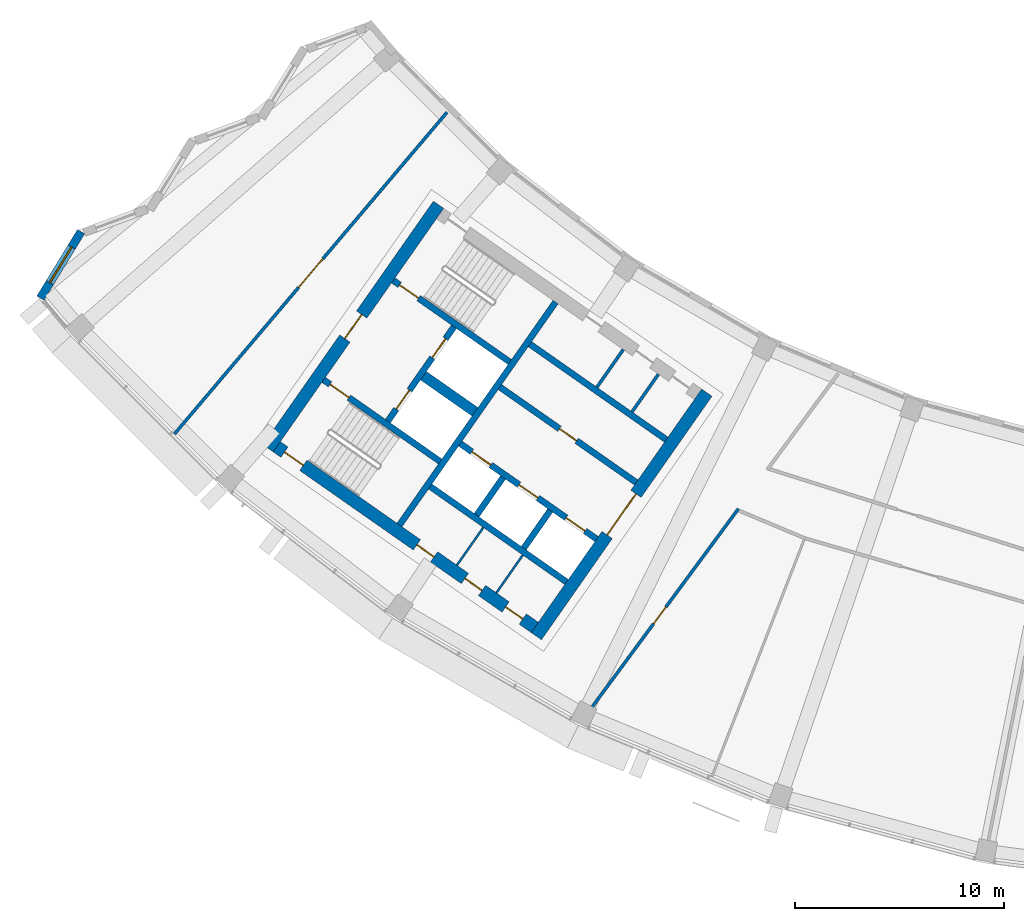
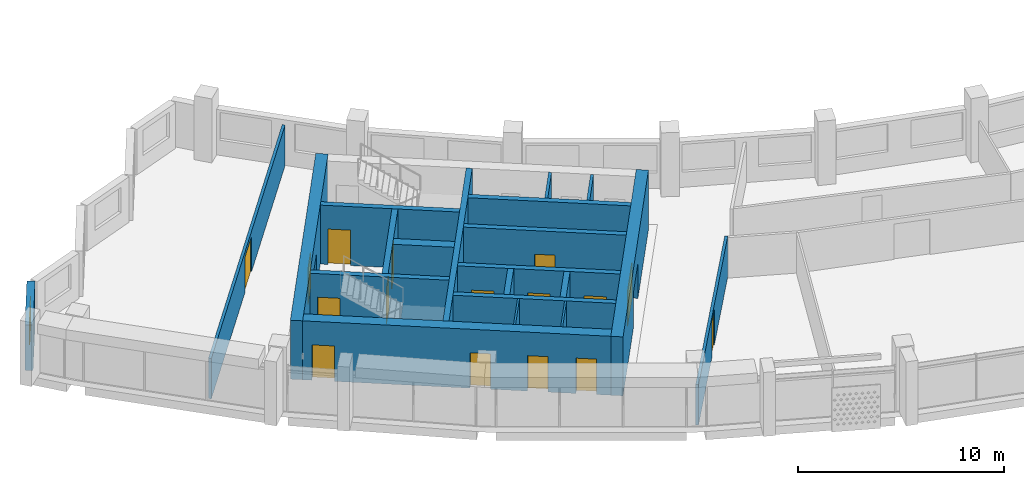
# One storey, part 3 of 28: 21 walls, 16 doors, 1 window, 17 openings.
"""IFC4 building model written with IfcOpenShell, lengths in metres."""

from ifc_helpers import new_model, si_unit, direction, frame, frame_2d, origin, place, context, subcontext, project, spatial, rectangle, extrude, material, layer, layer_set, type_object, element, fill, save


model = new_model("IFC4")

# Units and contexts
model_context = context("Model", 3, precision=1e-05, world=origin(), true_north=direction((0.0, 1.0)))
body_context = subcontext(model_context, "Body", "Model", "MODEL_VIEW")
ifc_project = project(units=[si_unit("LENGTHUNIT", "METRE"), si_unit("AREAUNIT", "SQUARE_METRE"), si_unit("VOLUMEUNIT", "CUBIC_METRE"), si_unit("PLANEANGLEUNIT", "RADIAN"), si_unit("MASSUNIT", "GRAM", prefix="KILO")], contexts=[model_context])

# Site, building, storey
site_placement = place(None, origin())
site = spatial("IfcSite", under=ifc_project, at=site_placement, CompositionType="ELEMENT")
building_placement = place(site_placement, origin())
building = spatial("IfcBuilding", under=site, at=building_placement, Name="Qamariyya Broadcast Tower", CompositionType="ELEMENT")
storey_placement = place(building_placement, frame((0.0, 0.0, 277.10009765625)))
storey = spatial("IfcBuildingStorey", under=building, at=storey_placement, Name="L67", CompositionType="ELEMENT", Elevation=277.10009765625)

# Wall, opening, door
ifc_material_1 = material(Name="Concrete C60/75", Category="concrete")
ifc_layer_1 = layer(ifc_material_1, 0.60009765625)
ifc_layer_set_1 = layer_set([ifc_layer_1], Name="Core wall 600 mm Concrete C60/75")
wall_type_1 = type_object("IfcWallType", Name="Core wall 600 mm Concrete C60/75", PredefinedType="SHEAR", material=ifc_layer_set_1)
wall_1_placement = place(storey_placement, frame((-36.66748046875, -66.005126953125, 0.0), z_axis=(0.0, 0.0, 1.0), x_axis=(0.573568499524, 0.819157601658, 0.0)))
wall_1 = element("IfcWall", 1, at=wall_1_placement, inside=storey, type_object=wall_type_1, Name="k-W-L67-WA", PredefinedType="SHEAR", context=body_context, shape_type="SweptSolid", body=[
    extrude(rectangle(XDim=14.19970703125, YDim=0.60009765625, at=frame_2d((7.099853515625, 0.0))), origin(), (0.0, 0.0, 1.0), 3.5),
])
opening_1_placement = place(wall_1_placement, frame((5.89990234375, 0.0, 0.0)))
opening_1 = element("IfcOpeningElement", 2, at=opening_1_placement, cuts=wall_1, Name="Opening KD3-W1", PredefinedType="OPENING", context=body_context, shape_type="SweptSolid", body=[
    extrude(rectangle(XDim=2.39990234375, YDim=2.10009765625, at=frame_2d((1.199951171875, 1.050048828125))), frame((0.0, 0.31005859375, 0.0), z_axis=(0.0, -1.0, 0.0), x_axis=(1.0, 0.0, 0.0)), (0.0, 0.0, 1.0), 0.6201171875),
])
ifc_material_2 = material(Name="Steel fire-resisting door leaf", Category="steel")
door_type_1 = type_object("IfcDoorType", Name="Lift lobby door KD3", OperationType="DOUBLE_DOOR_SINGLE_SWING", PredefinedType="DOOR", material=ifc_material_2)
door_1_placement = place(opening_1_placement, origin())
door_1 = element("IfcDoor", 3, at=door_1_placement, inside=storey, type_object=door_type_1, Name="k-W-L67-WA-D1", OperationType="DOUBLE_DOOR_SINGLE_SWING", OverallHeight=2.10009765625, OverallWidth=2.39990234375, PredefinedType="DOOR", context=body_context, shape_type="SweptSolid", body=[
    extrude(rectangle(XDim=2.39990234375, YDim=2.10009765625, at=frame_2d((1.199951171875, 1.050048828125))), frame((0.0, 0.02490234375, 0.0), z_axis=(0.0, -1.0, 0.0), x_axis=(1.0, 0.0, 0.0)), (0.0, 0.0, 1.0), 0.050048828125),
])
fill(opening_1, door_1)

wall_2_placement = place(storey_placement, frame((-49.4833984375, -57.031494140625, 0.0), z_axis=(0.0, 0.0, 1.0), x_axis=(0.573560421458, 0.819163257805, 0.0)))
wall_2 = element("IfcWall", 4, at=wall_2_placement, inside=storey, type_object=wall_type_1, Name="k-W-L67-WH", PredefinedType="SHEAR", context=body_context, shape_type="SweptSolid", body=[
    extrude(rectangle(XDim=14.199951171875, YDim=0.60009765625, at=frame_2d((7.10009765625, 0.0))), origin(), (0.0, 0.0, 1.0), 3.5),
])
opening_2_placement = place(wall_2_placement, frame((6.39990234375, 0.0, 0.0)))
opening_2 = element("IfcOpeningElement", 5, at=opening_2_placement, cuts=wall_2, Name="Opening KD2-W1", PredefinedType="OPENING", context=body_context, shape_type="SweptSolid", body=[
    extrude(rectangle(XDim=1.39990234375, YDim=2.10009765625, at=frame_2d((0.699951171875, 1.050048828125))), frame((0.0, 0.31005859375, 0.0), z_axis=(0.0, -1.0, 0.0), x_axis=(1.0, 0.0, 0.0)), (0.0, 0.0, 1.0), 0.6201171875),
])
door_type_2 = type_object("IfcDoorType", Name="Fire-fighting lobby door KD2", OperationType="DOUBLE_DOOR_SINGLE_SWING", PredefinedType="DOOR", material=ifc_material_2)
door_2_placement = place(opening_2_placement, origin())
door_2 = element("IfcDoor", 6, at=door_2_placement, inside=storey, type_object=door_type_2, Name="k-W-L67-WH-D14", OperationType="DOUBLE_DOOR_SINGLE_SWING", OverallHeight=2.10009765625, OverallWidth=1.39990234375, PredefinedType="DOOR", context=body_context, shape_type="SweptSolid", body=[
    extrude(rectangle(XDim=1.39990234375, YDim=2.10009765625, at=frame_2d((0.699951171875, 1.050048828125))), frame((0.0, 0.02490234375, 0.0), z_axis=(0.0, -1.0, 0.0), x_axis=(1.0, 0.0, 0.0)), (0.0, 0.0, 1.0), 0.050048828125),
])
fill(opening_2, door_2)

# Wall, openings, doors
wall_3_placement = place(storey_placement, frame((-36.7412109375, -65.58740234375, 0.0), z_axis=(0.0, 0.0, 1.0), x_axis=(-0.819153391756, 0.573574511963, 0.0)))
wall_3 = element("IfcWall", 7, at=wall_3_placement, inside=storey, type_object=wall_type_1, Name="k-W-L67-WO", PredefinedType="SHEAR", context=body_context, shape_type="SweptSolid", body=[
    extrude(rectangle(XDim=15.04541015625, YDim=0.60009765625, at=frame_2d((7.522705078125, 0.0))), origin(), (0.0, 0.0, 1.0), 3.5),
])
opening_3_placement = place(wall_3_placement, frame((0.699951171875, 0.0, 0.0)))
opening_3 = element("IfcOpeningElement", 8, at=opening_3_placement, cuts=wall_3, Name="Opening KD6-W3", PredefinedType="OPENING", context=body_context, shape_type="SweptSolid", body=[
    extrude(rectangle(XDim=1.0, YDim=2.10009765625, at=frame_2d((0.5, 1.050048828125))), frame((0.0, 0.31005859375, 0.0), z_axis=(0.0, -1.0, 0.0), x_axis=(1.0, 0.0, 0.0)), (0.0, 0.0, 1.0), 0.6201171875),
])
opening_4_placement = place(wall_3_placement, frame((3.074951171875, 0.0, 0.0)))
opening_4 = element("IfcOpeningElement", 9, at=opening_4_placement, cuts=wall_3, Name="Opening KD4-W1", PredefinedType="OPENING", context=body_context, shape_type="SweptSolid", body=[
    extrude(rectangle(XDim=1.0, YDim=2.10009765625, at=frame_2d((0.5, 1.050048828125))), frame((0.0, 0.31005859375, 0.0), z_axis=(0.0, -1.0, 0.0), x_axis=(1.0, 0.0, 0.0)), (0.0, 0.0, 1.0), 0.6201171875),
])
opening_5_placement = place(wall_3_placement, frame((5.875, 0.0, 0.0)))
opening_5 = element("IfcOpeningElement", 10, at=opening_5_placement, cuts=wall_3, Name="Opening KD4-W2", PredefinedType="OPENING", context=body_context, shape_type="SweptSolid", body=[
    extrude(rectangle(XDim=1.0, YDim=2.10009765625, at=frame_2d((0.5, 1.050048828125))), frame((0.0, 0.31005859375, 0.0), z_axis=(0.0, -1.0, 0.0), x_axis=(1.0, 0.0, 0.0)), (0.0, 0.0, 1.0), 0.6201171875),
])
opening_6_placement = place(wall_3_placement, frame((13.495361328125, 0.0, 0.0)))
opening_6 = element("IfcOpeningElement", 11, at=opening_6_placement, cuts=wall_3, Name="Opening KD1-W3", PredefinedType="OPENING", context=body_context, shape_type="SweptSolid", body=[
    extrude(rectangle(XDim=1.10009765625, YDim=2.10009765625, at=frame_2d((0.550048828125, 1.050048828125))), frame((0.0, 0.31005859375, 0.0), z_axis=(0.0, -1.0, 0.0), x_axis=(1.0, 0.0, 0.0)), (0.0, 0.0, 1.0), 0.6201171875),
])
door_type_3 = type_object("IfcDoorType", Name="Core room door KD6", OperationType="SINGLE_SWING_LEFT", PredefinedType="DOOR", material=ifc_material_2)
door_3_placement = place(opening_3_placement, origin())
door_3 = element("IfcDoor", 12, at=door_3_placement, inside=storey, type_object=door_type_3, Name="k-W-L67-WO-D9", OperationType="SINGLE_SWING_RIGHT", OverallHeight=2.10009765625, OverallWidth=1.0, PredefinedType="DOOR", context=body_context, shape_type="SweptSolid", body=[
    extrude(rectangle(XDim=1.0, YDim=2.10009765625, at=frame_2d((0.5, 1.050048828125))), frame((0.0, 0.02490234375, 0.0), z_axis=(0.0, -1.0, 0.0), x_axis=(1.0, 0.0, 0.0)), (0.0, 0.0, 1.0), 0.050048828125),
])
fill(opening_3, door_3)
door_type_4 = type_object("IfcDoorType", Name="Riser and plant door KD4", OperationType="SINGLE_SWING_LEFT", PredefinedType="DOOR", material=ifc_material_2)
door_4_placement = place(opening_4_placement, origin())
door_4 = element("IfcDoor", 13, at=door_4_placement, inside=storey, type_object=door_type_4, Name="k-W-L67-WO-D10", OperationType="SINGLE_SWING_LEFT", OverallHeight=2.10009765625, OverallWidth=1.0, PredefinedType="DOOR", context=body_context, shape_type="SweptSolid", body=[
    extrude(rectangle(XDim=1.0, YDim=2.10009765625, at=frame_2d((0.5, 1.050048828125))), frame((0.0, 0.02490234375, 0.0), z_axis=(0.0, -1.0, 0.0), x_axis=(1.0, 0.0, 0.0)), (0.0, 0.0, 1.0), 0.050048828125),
])
fill(opening_4, door_4)
door_5_placement = place(opening_5_placement, origin())
door_5 = element("IfcDoor", 14, at=door_5_placement, inside=storey, type_object=door_type_4, Name="k-W-L67-WO-D11", OperationType="SINGLE_SWING_RIGHT", OverallHeight=2.10009765625, OverallWidth=1.0, PredefinedType="DOOR", context=body_context, shape_type="SweptSolid", body=[
    extrude(rectangle(XDim=1.0, YDim=2.10009765625, at=frame_2d((0.5, 1.050048828125))), frame((0.0, 0.02490234375, 0.0), z_axis=(0.0, -1.0, 0.0), x_axis=(1.0, 0.0, 0.0)), (0.0, 0.0, 1.0), 0.050048828125),
])
fill(opening_5, door_5)
door_type_5 = type_object("IfcDoorType", Name="Stair door KD1", OperationType="SINGLE_SWING_LEFT", PredefinedType="DOOR", material=ifc_material_2)
door_6_placement = place(opening_6_placement, origin())
door_6 = element("IfcDoor", 15, at=door_6_placement, inside=storey, type_object=door_type_5, Name="k-W-L67-WO-D17", OperationType="SINGLE_SWING_LEFT", OverallHeight=2.10009765625, OverallWidth=1.10009765625, PredefinedType="DOOR", context=body_context, shape_type="SweptSolid", body=[
    extrude(rectangle(XDim=1.10009765625, YDim=2.10009765625, at=frame_2d((0.550048828125, 1.050048828125))), frame((0.0, 0.02490234375, 0.0), z_axis=(0.0, -1.0, 0.0), x_axis=(1.0, 0.0, 0.0)), (0.0, 0.0, 1.0), 0.050048828125),
])
fill(opening_6, door_6)

# Wall, opening, door
ifc_material_3 = material(Name="Gypsum board partition")
ifc_layer_2 = layer(ifc_material_3, 0.14990234375)
ifc_layer_set_2 = layer_set([ifc_layer_2], Name="Corridor partition 150 EI 60")
wall_type_2 = type_object("IfcWallType", Name="Corridor partition 150 EI 60", PredefinedType="PARTITIONING", material=ifc_layer_set_2)
wall_4_placement = place(storey_placement, frame((-53.946044921875, -56.33837890625, 0.0), z_axis=(0.0, 0.0, 1.0), x_axis=(0.646426079671, 0.76297662056, 0.0)))
wall_4 = element("IfcWall", 16, at=wall_4_placement, inside=storey, type_object=wall_type_2, Name="Partition L67-001", PredefinedType="PARTITIONING", context=body_context, shape_type="SweptSolid", body=[
    extrude(rectangle(XDim=20.1259765625, YDim=0.14990234375, at=frame_2d((10.06298828125, 0.0))), origin(), (0.0, 0.0, 1.0), 2.39990234375),
])
opening_7_placement = place(wall_4_placement, frame((9.1630859375, 0.0, 0.0)))
opening_7 = element("IfcOpeningElement", 17, at=opening_7_placement, cuts=wall_4, Name="Opening L67-D13", PredefinedType="OPENING", context=body_context, shape_type="SweptSolid", body=[
    extrude(rectangle(XDim=1.800048828125, YDim=2.10009765625, at=frame_2d((0.89990234375, 1.050048828125))), frame((0.0, 0.0849609375, 0.0), z_axis=(0.0, -1.0, 0.0), x_axis=(1.0, 0.0, 0.0)), (0.0, 0.0, 1.0), 0.169921875),
])
ifc_material_4 = material(Name="Timber fire door leaf", Category="wood")
door_type_6 = type_object("IfcDoorType", Name="Double fire door 1800 x 2100 FD60", OperationType="NOTDEFINED", PredefinedType="DOOR", material=ifc_material_4)
door_7_placement = place(opening_7_placement, origin())
door_7 = element("IfcDoor", 18, at=door_7_placement, inside=storey, type_object=door_type_6, Name="Door L67-D13", OperationType="DOUBLE_DOOR_SINGLE_SWING", OverallHeight=2.10009765625, OverallWidth=1.800048828125, PredefinedType="DOOR", context=body_context, shape_type="SweptSolid", body=[
    extrude(rectangle(XDim=1.800048828125, YDim=2.10009765625, at=frame_2d((0.89990234375, 1.050048828125))), frame((0.0, 0.02490234375, 0.0), z_axis=(0.0, -1.0, 0.0), x_axis=(1.0, 0.0, 0.0)), (0.0, 0.0, 1.0), 0.050048828125),
])
fill(opening_7, door_7)

wall_5_placement = place(storey_placement, frame((-27.012939453125, -59.919189453125, 0.0), z_axis=(0.0, 0.0, 1.0), x_axis=(-0.593869528805, -0.804561360467, 0.0)))
wall_5 = element("IfcWall", 19, at=wall_5_placement, inside=storey, type_object=wall_type_2, Name="Partition L67-003", PredefinedType="PARTITIONING", context=body_context, shape_type="SweptSolid", body=[
    extrude(rectangle(XDim=12.665283203125, YDim=0.14990234375, at=frame_2d((6.33251953125, 0.0))), origin(), (0.0, 0.0, 1.0), 2.39990234375),
])
opening_8_placement = place(wall_5_placement, frame((5.832763671875, 0.0, 0.0)))
opening_8 = element("IfcOpeningElement", 20, at=opening_8_placement, cuts=wall_5, Name="Opening L67-D01", PredefinedType="OPENING", context=body_context, shape_type="SweptSolid", body=[
    extrude(rectangle(XDim=1.0, YDim=2.10009765625, at=frame_2d((0.5, 1.050048828125))), frame((0.0, 0.0849609375, 0.0), z_axis=(0.0, -1.0, 0.0), x_axis=(1.0, 0.0, 0.0)), (0.0, 0.0, 1.0), 0.169921875),
])
door_type_7 = type_object("IfcDoorType", Name="Fire door 1000 x 2100 FD60", OperationType="NOTDEFINED", PredefinedType="DOOR", material=ifc_material_4)
door_8_placement = place(opening_8_placement, origin())
door_8 = element("IfcDoor", 21, at=door_8_placement, inside=storey, type_object=door_type_7, Name="Door L67-D01", OperationType="SINGLE_SWING_RIGHT", OverallHeight=2.10009765625, OverallWidth=1.0, PredefinedType="DOOR", context=body_context, shape_type="SweptSolid", body=[
    extrude(rectangle(XDim=1.0, YDim=2.10009765625, at=frame_2d((0.5, 1.050048828125))), frame((0.0, 0.02490234375, 0.0), z_axis=(0.0, -1.0, 0.0), x_axis=(1.0, 0.0, 0.0)), (0.0, 0.0, 1.0), 0.050048828125),
])
fill(opening_8, door_8)

# Walls
ifc_layer_3 = layer(ifc_material_1, 0.5)
ifc_layer_set_3 = layer_set([ifc_layer_3], Name="Fire-fighting lobby divider wall 500 mm Concrete C60/75")
wall_type_3 = type_object("IfcWallType", Name="Fire-fighting lobby divider wall 500 mm Concrete C60/75", PredefinedType="SOLIDWALL", material=ifc_layer_set_3)
wall_6_placement = place(storey_placement, frame((-39.59912109375, -55.28515625, 0.0), z_axis=(0.0, 0.0, 1.0), x_axis=(-0.819136323161, 0.573598887793, 0.0)))
element("IfcWall", 22, at=wall_6_placement, inside=storey, type_object=wall_type_3, Name="k-W-L67-FD", PredefinedType="SOLIDWALL", context=body_context, shape_type="SweptSolid", body=[
    extrude(rectangle(XDim=2.999755859375, YDim=0.5, at=frame_2d((1.5, 0.0))), origin(), (0.0, 0.0, 1.0), 3.5),
])
ifc_material_5 = material(Name="Gypsum board partition on steel studs", Category="steel")
ifc_layer_4 = layer(ifc_material_5, 0.14990234375)
ifc_layer_set_4 = layer_set([ifc_layer_4], Name="Gypsum board partition 150 mm")
wall_type_4 = type_object("IfcWallType", Name="Gypsum board partition 150 mm", PredefinedType="PARTITIONING", material=ifc_layer_set_4)
wall_7_placement = place(storey_placement, frame((-32.0947265625, -55.290283203125, 0.0), z_axis=(0.0, 0.0, 1.0), x_axis=(0.573559170999, 0.819164133348, 0.0)))
element("IfcWall", 23, at=wall_7_placement, inside=storey, type_object=wall_type_4, Name="k-W-L67-NP210", PredefinedType="PARTITIONING", context=body_context, shape_type="SweptSolid", body=[
    extrude(rectangle(XDim=2.19970703125, YDim=0.14990234375, at=frame_2d((1.099853515625, 0.0))), origin(), (0.0, 0.0, 1.0), 3.5),
])
wall_8_placement = place(storey_placement, frame((-33.774169921875, -54.114501953125, 0.0), z_axis=(0.0, 0.0, 1.0), x_axis=(0.573581496053, 0.819148501424, 0.0)))
element("IfcWall", 24, at=wall_8_placement, inside=storey, type_object=wall_type_4, Name="k-W-L67-NP415", PredefinedType="PARTITIONING", context=body_context, shape_type="SweptSolid", body=[
    extrude(rectangle(XDim=2.2001953125, YDim=0.14990234375, at=frame_2d((1.10009765625, 0.0))), origin(), (0.0, 0.0, 1.0), 3.5),
])
ifc_layer_5 = layer(ifc_material_1, 0.300048828125)
ifc_layer_set_5 = layer_set([ifc_layer_5], Name="Lift shaft wall 300 mm Concrete C60/75")
wall_type_5 = type_object("IfcWallType", Name="Lift shaft wall 300 mm Concrete C60/75", PredefinedType="SOLIDWALL", material=ifc_layer_set_5)
wall_9_placement = place(storey_placement, frame((-43.204345703125, -60.69580078125, 0.0), z_axis=(0.0, 0.0, 1.0), x_axis=(0.573571992966, 0.819155155563, 0.0)))
element("IfcWall", 25, at=wall_9_placement, inside=storey, type_object=wall_type_5, Name="k-W-L67-WL", PredefinedType="SOLIDWALL", context=body_context, shape_type="SweptSolid", body=[
    extrude(rectangle(XDim=13.000244140625, YDim=0.300048828125, at=frame_2d((6.5, 0.0))), origin(), (0.0, 0.0, 1.0), 3.5),
])

# Wall, opening, door
wall_10_placement = place(storey_placement, frame((-31.89453125, -58.66552734375, 0.0), z_axis=(0.0, 0.0, 1.0), x_axis=(-0.819166993208, 0.573555086491, 0.0)))
wall_10 = element("IfcWall", 26, at=wall_10_placement, inside=storey, type_object=wall_type_5, Name="k-W-L67-NF0", PredefinedType="SOLIDWALL", context=body_context, shape_type="SweptSolid", body=[
    extrude(rectangle(XDim=7.9501953125, YDim=0.300048828125, at=frame_2d((3.97509765625, 0.0))), origin(), (0.0, 0.0, 1.0), 3.5),
])
opening_9_placement = place(wall_10_placement, frame((3.47509765625, 0.0, 0.0)))
opening_9 = element("IfcOpeningElement", 27, at=opening_9_placement, cuts=wall_10, Name="Opening KD6-W1", PredefinedType="OPENING", context=body_context, shape_type="SweptSolid", body=[
    extrude(rectangle(XDim=1.0, YDim=2.10009765625, at=frame_2d((0.5, 1.050048828125))), frame((0.0, 0.159912109375, 0.0), z_axis=(0.0, -1.0, 0.0), x_axis=(1.0, 0.0, 0.0)), (0.0, 0.0, 1.0), 0.320068359375),
])
door_9_placement = place(opening_9_placement, origin())
door_9 = element("IfcDoor", 28, at=door_9_placement, inside=storey, type_object=door_type_3, Name="k-W-L67-NF0-D2", OperationType="SINGLE_SWING_LEFT", OverallHeight=2.10009765625, OverallWidth=1.0, PredefinedType="DOOR", context=body_context, shape_type="SweptSolid", body=[
    extrude(rectangle(XDim=1.0, YDim=2.10009765625, at=frame_2d((0.5, 1.050048828125))), frame((0.0, 0.02490234375, 0.0), z_axis=(0.0, -1.0, 0.0), x_axis=(1.0, 0.0, 0.0)), (0.0, 0.0, 1.0), 0.050048828125),
])
fill(opening_9, door_9)

# Wall
wall_11_placement = place(storey_placement, frame((-30.460693359375, -56.61767578125, 0.0), z_axis=(0.0, 0.0, 1.0), x_axis=(-0.819142461705, 0.573590121456, 0.0)))
element("IfcWall", 29, at=wall_11_placement, inside=storey, type_object=wall_type_5, Name="k-W-L67-NB0", PredefinedType="SOLIDWALL", context=body_context, shape_type="SweptSolid", body=[
    extrude(rectangle(XDim=7.949951171875, YDim=0.300048828125, at=frame_2d((3.97509765625, 0.0))), origin(), (0.0, 0.0, 1.0), 3.5),
])

# Wall, openings, doors
wall_12_placement = place(storey_placement, frame((-33.787353515625, -61.368896484375, 0.0), z_axis=(0.0, 0.0, 1.0), x_axis=(-0.819152564888, 0.573575692858, 0.0)))
wall_12 = element("IfcWall", 30, at=wall_12_placement, inside=storey, type_object=wall_type_5, Name="k-W-L67-SF0", PredefinedType="SOLIDWALL", context=body_context, shape_type="SweptSolid", body=[
    extrude(rectangle(XDim=7.9501953125, YDim=0.300048828125, at=frame_2d((3.97509765625, 0.0))), origin(), (0.0, 0.0, 1.0), 3.5),
])
opening_10_placement = place(wall_12_placement, frame((0.675048828125, 0.0, 0.0)))
opening_10 = element("IfcOpeningElement", 31, at=opening_10_placement, cuts=wall_12, Name="Opening LD", PredefinedType="OPENING", context=body_context, shape_type="SweptSolid", body=[
    extrude(rectangle(XDim=1.10009765625, YDim=2.10009765625, at=frame_2d((0.550048828125, 1.050048828125))), frame((0.0, 0.159912109375, 0.0), z_axis=(0.0, -1.0, 0.0), x_axis=(1.0, 0.0, 0.0)), (0.0, 0.0, 1.0), 0.320068359375),
])
opening_11_placement = place(wall_12_placement, frame((3.425048828125, 0.0, 0.0)))
opening_11 = element("IfcOpeningElement", 32, at=opening_11_placement, cuts=wall_12, Name="Opening LD", PredefinedType="OPENING", context=body_context, shape_type="SweptSolid", body=[
    extrude(rectangle(XDim=1.10009765625, YDim=2.10009765625, at=frame_2d((0.550048828125, 1.050048828125))), frame((0.0, 0.159912109375, 0.0), z_axis=(0.0, -1.0, 0.0), x_axis=(1.0, 0.0, 0.0)), (0.0, 0.0, 1.0), 0.320068359375),
])
opening_12_placement = place(wall_12_placement, frame((6.175048828125, 0.0, 0.0)))
opening_12 = element("IfcOpeningElement", 33, at=opening_12_placement, cuts=wall_12, Name="Opening LD", PredefinedType="OPENING", context=body_context, shape_type="SweptSolid", body=[
    extrude(rectangle(XDim=1.10009765625, YDim=2.10009765625, at=frame_2d((0.550048828125, 1.050048828125))), frame((0.0, 0.159912109375, 0.0), z_axis=(0.0, -1.0, 0.0), x_axis=(1.0, 0.0, 0.0)), (0.0, 0.0, 1.0), 0.320068359375),
])
door_type_8 = type_object("IfcDoorType", Name="Lift landing door LD", OperationType="DOUBLE_DOOR_SLIDING", PredefinedType="DOOR", material=ifc_material_2)
door_10_placement = place(opening_10_placement, origin())
door_10 = element("IfcDoor", 34, at=door_10_placement, inside=storey, type_object=door_type_8, Name="k-W-L67-SF0-D3", OperationType="DOUBLE_DOOR_SLIDING", OverallHeight=2.10009765625, OverallWidth=1.10009765625, PredefinedType="DOOR", context=body_context, shape_type="SweptSolid", body=[
    extrude(rectangle(XDim=1.10009765625, YDim=2.10009765625, at=frame_2d((0.550048828125, 1.050048828125))), frame((0.0, 0.02490234375, 0.0), z_axis=(0.0, -1.0, 0.0), x_axis=(1.0, 0.0, 0.0)), (0.0, 0.0, 1.0), 0.050048828125),
])
fill(opening_10, door_10)
door_11_placement = place(opening_11_placement, origin())
door_11 = element("IfcDoor", 35, at=door_11_placement, inside=storey, type_object=door_type_8, Name="k-W-L67-SF0-D4", OperationType="DOUBLE_DOOR_SLIDING", OverallHeight=2.10009765625, OverallWidth=1.10009765625, PredefinedType="DOOR", context=body_context, shape_type="SweptSolid", body=[
    extrude(rectangle(XDim=1.10009765625, YDim=2.10009765625, at=frame_2d((0.550048828125, 1.050048828125))), frame((0.0, 0.02490234375, 0.0), z_axis=(0.0, -1.0, 0.0), x_axis=(1.0, 0.0, 0.0)), (0.0, 0.0, 1.0), 0.050048828125),
])
fill(opening_11, door_11)
door_12_placement = place(opening_12_placement, origin())
door_12 = element("IfcDoor", 36, at=door_12_placement, inside=storey, type_object=door_type_8, Name="k-W-L67-SF0-D5", OperationType="DOUBLE_DOOR_SLIDING", OverallHeight=2.10009765625, OverallWidth=1.10009765625, PredefinedType="DOOR", context=body_context, shape_type="SweptSolid", body=[
    extrude(rectangle(XDim=1.10009765625, YDim=2.10009765625, at=frame_2d((0.550048828125, 1.050048828125))), frame((0.0, 0.02490234375, 0.0), z_axis=(0.0, -1.0, 0.0), x_axis=(1.0, 0.0, 0.0)), (0.0, 0.0, 1.0), 0.050048828125),
])
fill(opening_12, door_12)

# Walls
wall_13_placement = place(storey_placement, frame((-35.22119140625, -63.41650390625, 0.0), z_axis=(0.0, 0.0, 1.0), x_axis=(-0.819166993208, 0.573555086491, 0.0)))
element("IfcWall", 37, at=wall_13_placement, inside=storey, type_object=wall_type_5, Name="k-W-L67-SB0", PredefinedType="SOLIDWALL", context=body_context, shape_type="SweptSolid", body=[
    extrude(rectangle(XDim=7.9501953125, YDim=0.300048828125, at=frame_2d((3.97509765625, 0.0))), origin(), (0.0, 0.0, 1.0), 3.5),
])
wall_14_placement = place(storey_placement, frame((-36.003173828125, -60.000244140625, 0.0), z_axis=(0.0, 0.0, 1.0), x_axis=(-0.573581496053, -0.819148501424, 0.0)))
element("IfcWall", 38, at=wall_14_placement, inside=storey, type_object=wall_type_5, Name="k-W-L67-SD0", PredefinedType="SOLIDWALL", context=body_context, shape_type="SweptSolid", body=[
    extrude(rectangle(XDim=2.2001953125, YDim=0.300048828125, at=frame_2d((1.10009765625, 0.0))), origin(), (0.0, 0.0, 1.0), 3.5),
])
wall_15_placement = place(storey_placement, frame((-38.255859375, -58.423095703125, 0.0), z_axis=(0.0, 0.0, 1.0), x_axis=(-0.573633636671, -0.819111989218, 0.0)))
element("IfcWall", 39, at=wall_15_placement, inside=storey, type_object=wall_type_5, Name="k-W-L67-SD1", PredefinedType="SOLIDWALL", context=body_context, shape_type="SweptSolid", body=[
    extrude(rectangle(XDim=2.199951171875, YDim=0.300048828125, at=frame_2d((1.10009765625, 0.0))), origin(), (0.0, 0.0, 1.0), 3.5),
])

# Wall, opening, door
wall_16_placement = place(storey_placement, frame((-37.935546875, -52.90966796875, 0.0), z_axis=(0.0, 0.0, 1.0), x_axis=(-0.819147518138, 0.57358290031, 0.0)))
wall_16 = element("IfcWall", 40, at=wall_16_placement, inside=storey, type_object=wall_type_5, Name="k-W-L67-NW", PredefinedType="SOLIDWALL", context=body_context, shape_type="SweptSolid", body=[
    extrude(rectangle(XDim=6.79541015625, YDim=0.300048828125, at=frame_2d((3.397705078125, 0.0))), origin(), (0.0, 0.0, 1.0), 3.5),
])
opening_13_placement = place(wall_16_placement, frame((5.3203125, 0.0, 0.0)))
opening_13 = element("IfcOpeningElement", 41, at=opening_13_placement, cuts=wall_16, Name="Opening KD1-W2", PredefinedType="OPENING", context=body_context, shape_type="SweptSolid", body=[
    extrude(rectangle(XDim=1.10009765625, YDim=2.10009765625, at=frame_2d((0.550048828125, 1.050048828125))), frame((0.0, 0.159912109375, 0.0), z_axis=(0.0, -1.0, 0.0), x_axis=(1.0, 0.0, 0.0)), (0.0, 0.0, 1.0), 0.320068359375),
])
door_13_placement = place(opening_13_placement, origin())
door_13 = element("IfcDoor", 42, at=door_13_placement, inside=storey, type_object=door_type_5, Name="k-W-L67-NW-D16", OperationType="SINGLE_SWING_LEFT", OverallHeight=2.10009765625, OverallWidth=1.10009765625, PredefinedType="DOOR", context=body_context, shape_type="SweptSolid", body=[
    extrude(rectangle(XDim=1.10009765625, YDim=2.10009765625, at=frame_2d((0.550048828125, 1.050048828125))), frame((0.0, 0.02490234375, 0.0), z_axis=(0.0, -1.0, 0.0), x_axis=(1.0, 0.0, 0.0)), (0.0, 0.0, 1.0), 0.050048828125),
])
fill(opening_13, door_13)

wall_17_placement = place(storey_placement, frame((-41.262451171875, -57.66064453125, 0.0), z_axis=(0.0, 0.0, 1.0), x_axis=(-0.819164398642, 0.573558792102, 0.0)))
wall_17 = element("IfcWall", 43, at=wall_17_placement, inside=storey, type_object=wall_type_5, Name="k-W-L67-SW", PredefinedType="SOLIDWALL", context=body_context, shape_type="SweptSolid", body=[
    extrude(rectangle(XDim=6.795166015625, YDim=0.300048828125, at=frame_2d((3.3974609375, 0.0))), origin(), (0.0, 0.0, 1.0), 3.5),
])
opening_14_placement = place(wall_17_placement, frame((5.3203125, 0.0, 0.0)))
opening_14 = element("IfcOpeningElement", 44, at=opening_14_placement, cuts=wall_17, Name="Opening KD1-W4", PredefinedType="OPENING", context=body_context, shape_type="SweptSolid", body=[
    extrude(rectangle(XDim=1.10009765625, YDim=2.10009765625, at=frame_2d((0.550048828125, 1.050048828125))), frame((0.0, 0.159912109375, 0.0), z_axis=(0.0, -1.0, 0.0), x_axis=(1.0, 0.0, 0.0)), (0.0, 0.0, 1.0), 0.320068359375),
])
door_14_placement = place(opening_14_placement, origin())
door_14 = element("IfcDoor", 45, at=door_14_placement, inside=storey, type_object=door_type_5, Name="k-W-L67-SW-D18", OperationType="SINGLE_SWING_LEFT", OverallHeight=2.10009765625, OverallWidth=1.10009765625, PredefinedType="DOOR", context=body_context, shape_type="SweptSolid", body=[
    extrude(rectangle(XDim=1.10009765625, YDim=2.10009765625, at=frame_2d((0.550048828125, 1.050048828125))), frame((0.0, 0.02490234375, 0.0), z_axis=(0.0, -1.0, 0.0), x_axis=(1.0, 0.0, 0.0)), (0.0, 0.0, 1.0), 0.050048828125),
])
fill(opening_14, door_14)

# Wall, openings, doors
wall_18_placement = place(storey_placement, frame((-43.756591796875, -55.731201171875, 0.0), z_axis=(0.0, 0.0, 1.0), x_axis=(0.573536818435, 0.819179783625, 0.0)))
wall_18 = element("IfcWall", 46, at=wall_18_placement, inside=storey, type_object=wall_type_5, Name="k-W-L67-FF", PredefinedType="SOLIDWALL", context=body_context, shape_type="SweptSolid", body=[
    extrude(rectangle(XDim=5.500244140625, YDim=0.300048828125, at=frame_2d((2.75, 0.0))), origin(), (0.0, 0.0, 1.0), 3.5),
])
opening_15_placement = place(wall_18_placement, frame((0.699951171875, 0.0, 0.0)))
opening_15 = element("IfcOpeningElement", 47, at=opening_15_placement, cuts=wall_18, Name="Opening LD", PredefinedType="OPENING", context=body_context, shape_type="SweptSolid", body=[
    extrude(rectangle(XDim=1.10009765625, YDim=2.10009765625, at=frame_2d((0.550048828125, 1.050048828125))), frame((0.0, 0.159912109375, 0.0), z_axis=(0.0, -1.0, 0.0), x_axis=(1.0, 0.0, 0.0)), (0.0, 0.0, 1.0), 0.320068359375),
])
opening_16_placement = place(wall_18_placement, frame((3.699951171875, 0.0, 0.0)))
opening_16 = element("IfcOpeningElement", 48, at=opening_16_placement, cuts=wall_18, Name="Opening LD", PredefinedType="OPENING", context=body_context, shape_type="SweptSolid", body=[
    extrude(rectangle(XDim=1.10009765625, YDim=2.10009765625, at=frame_2d((0.550048828125, 1.050048828125))), frame((0.0, 0.159912109375, 0.0), z_axis=(0.0, -1.0, 0.0), x_axis=(1.0, 0.0, 0.0)), (0.0, 0.0, 1.0), 0.320068359375),
])
door_15_placement = place(opening_15_placement, origin())
door_15 = element("IfcDoor", 49, at=door_15_placement, inside=storey, type_object=door_type_8, Name="k-W-L67-FF-D12", OperationType="DOUBLE_DOOR_SLIDING", OverallHeight=2.10009765625, OverallWidth=1.10009765625, PredefinedType="DOOR", context=body_context, shape_type="SweptSolid", body=[
    extrude(rectangle(XDim=1.10009765625, YDim=2.10009765625, at=frame_2d((0.550048828125, 1.050048828125))), frame((0.0, 0.02490234375, 0.0), z_axis=(0.0, -1.0, 0.0), x_axis=(1.0, 0.0, 0.0)), (0.0, 0.0, 1.0), 0.050048828125),
])
fill(opening_15, door_15)
door_16_placement = place(opening_16_placement, origin())
door_16 = element("IfcDoor", 50, at=door_16_placement, inside=storey, type_object=door_type_8, Name="k-W-L67-FF-D13", OperationType="DOUBLE_DOOR_SLIDING", OverallHeight=2.10009765625, OverallWidth=1.10009765625, PredefinedType="DOOR", context=body_context, shape_type="SweptSolid", body=[
    extrude(rectangle(XDim=1.10009765625, YDim=2.10009765625, at=frame_2d((0.550048828125, 1.050048828125))), frame((0.0, 0.02490234375, 0.0), z_axis=(0.0, -1.0, 0.0), x_axis=(1.0, 0.0, 0.0)), (0.0, 0.0, 1.0), 0.050048828125),
])
fill(opening_16, door_16)

# Walls
ifc_material_6 = material(Name="Fire-rated gypsum shaft liner on steel studs", Category="steel")
ifc_layer_6 = layer(ifc_material_6, 0.10009765625)
ifc_layer_set_6 = layer_set([ifc_layer_6], Name="Riser wall 100 mm")
wall_type_6 = type_object("IfcWallType", Name="Riser wall 100 mm", PredefinedType="PLUMBINGWALL", material=ifc_layer_set_6)
wall_19_placement = place(storey_placement, frame((-37.314208984375, -62.13427734375, 0.0), z_axis=(0.0, 0.0, 1.0), x_axis=(-0.573633636671, -0.819111989218, 0.0)))
element("IfcWall", 51, at=wall_19_placement, inside=storey, type_object=wall_type_6, Name="k-W-L67-SP245", PredefinedType="PLUMBINGWALL", context=body_context, shape_type="SweptSolid", body=[
    extrude(rectangle(XDim=2.199951171875, YDim=0.10009765625, at=frame_2d((1.10009765625, 0.0))), origin(), (0.0, 0.0, 1.0), 3.5),
])
wall_20_placement = place(storey_placement, frame((-39.1982421875, -60.81494140625, 0.0), z_axis=(0.0, 0.0, 1.0), x_axis=(-0.573581496053, -0.819148501424, 0.0)))
element("IfcWall", 52, at=wall_20_placement, inside=storey, type_object=wall_type_6, Name="k-W-L67-SP475", PredefinedType="PLUMBINGWALL", context=body_context, shape_type="SweptSolid", body=[
    extrude(rectangle(XDim=2.2001953125, YDim=0.10009765625, at=frame_2d((1.10009765625, 0.0))), origin(), (0.0, 0.0, 1.0), 3.5),
])

# Wall, opening, window
ifc_material_7 = material(Name="Terracotta", Category="masonry")
ifc_layer_7 = layer(ifc_material_7, 0.39990234375)
ifc_layer_set_7 = layer_set([ifc_layer_7], Name="Terracotta clad wall 400")
wall_type_7 = type_object("IfcWallType", Name="Terracotta clad wall 400", PredefinedType="SOLIDWALL", material=ifc_layer_set_7)
wall_21_placement = place(storey_placement, frame((-58.417724609375, -46.68359375, 0.0), z_axis=(0.0, 0.0, 1.0), x_axis=(-0.521827212322, -0.853051206248, 0.0)))
wall_21 = element("IfcWall", 53, at=wall_21_placement, inside=storey, type_object=wall_type_7, Name="e-wl-L67-capW5", PredefinedType="SOLIDWALL", context=body_context, shape_type="SweptSolid", body=[
    extrude(rectangle(XDim=3.717041015625, YDim=0.39990234375, at=frame_2d((1.8583984375, 0.0))), origin(), (0.0, 0.0, 1.0), 2.699951171875),
])
opening_17_placement = place(wall_21_placement, frame((0.858642578125, 0.0, 0.89990234375)))
opening_17 = element("IfcOpeningElement", 54, at=opening_17_placement, cuts=wall_21, Name="Opening W4", PredefinedType="OPENING", context=body_context, shape_type="SweptSolid", body=[
    extrude(rectangle(XDim=2.0, YDim=1.5, at=frame_2d((1.0, 0.75))), frame((0.0, 0.2099609375, 0.0), z_axis=(0.0, -1.0, 0.0), x_axis=(1.0, 0.0, 0.0)), (0.0, 0.0, 1.0), 0.419921875),
])
ifc_material_8 = material(Name="Clear low-e double glazed unit in aluminium frame", Category="aluminium")
window_type = type_object("IfcWindowType", Name="Horn bay window 2000 x 1500", PartitioningType="SINGLE_PANEL", PredefinedType="WINDOW", material=ifc_material_8)
window_placement = place(opening_17_placement, origin())
window = element("IfcWindow", 55, at=window_placement, inside=storey, type_object=window_type, Name="e-w-L67-capW5", OverallHeight=1.5, OverallWidth=2.0, PartitioningType="SINGLE_PANEL", PredefinedType="WINDOW", context=body_context, shape_type="SweptSolid", body=[
    extrude(rectangle(XDim=2.0, YDim=1.5, at=frame_2d((1.0, 0.75))), frame((0.0, 0.030029296875, 0.0), z_axis=(0.0, -1.0, 0.0), x_axis=(1.0, 0.0, 0.0)), (0.0, 0.0, 1.0), 0.06005859375),
])
fill(opening_17, window)

save(model, "model.ifc")
